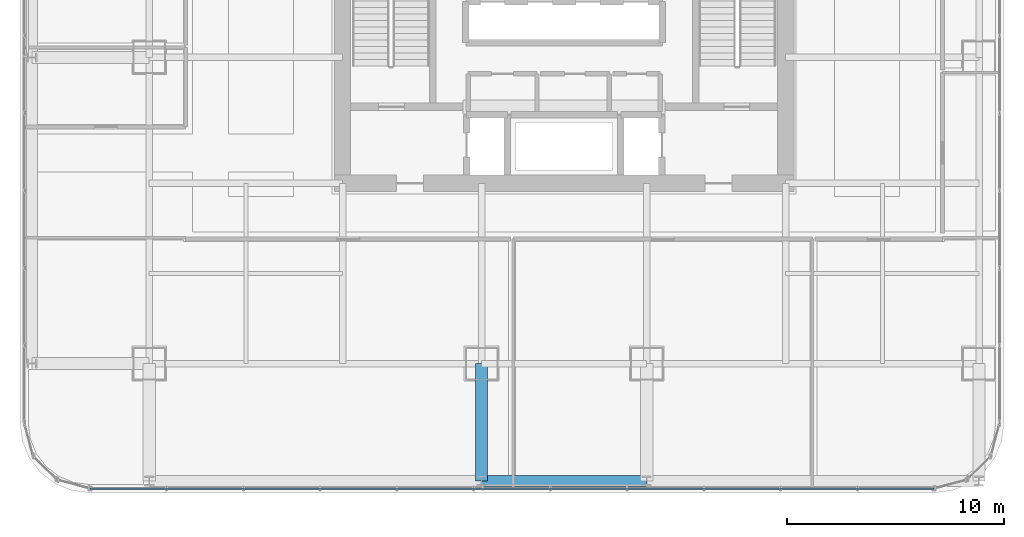
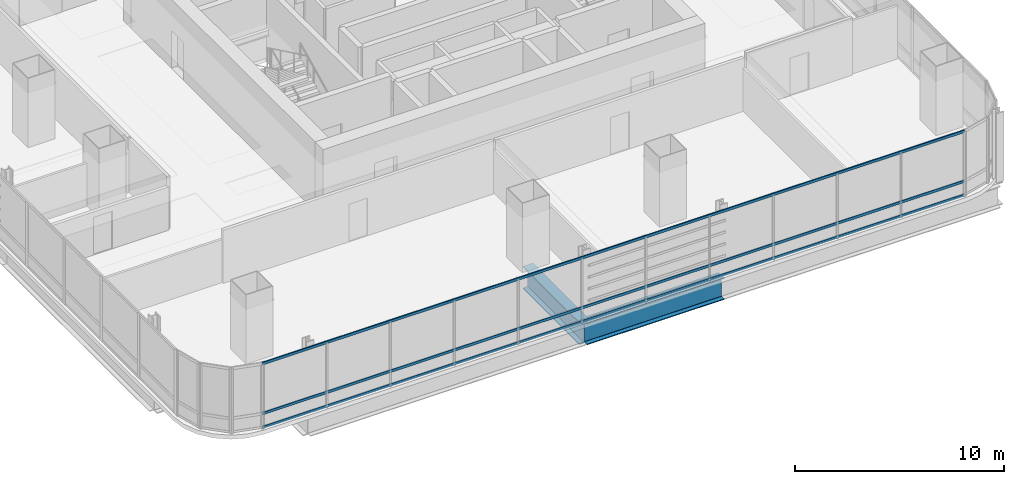
# One storey, part 7 of 36: 3 members, 2 beams, 1 element without a shape of its own.
"""IFC4 building model written with IfcOpenShell, lengths in metres."""

from ifc_helpers import new_model, si_unit, direction, frame, origin, origin_2d, place, context, subcontext, project, spatial, hollow_rectangle, i_section, extrude, material, material_profile, profile_set, type_object, element, aggregate, save


model = new_model("IFC4")

# Units and contexts
model_context = context("Model", 3, precision=1e-05, world=origin(), true_north=direction((0.0, 1.0)))
body_context = subcontext(model_context, "Body", "Model", "MODEL_VIEW")
ifc_project = project(units=[si_unit("LENGTHUNIT", "METRE"), si_unit("AREAUNIT", "SQUARE_METRE"), si_unit("VOLUMEUNIT", "CUBIC_METRE"), si_unit("PLANEANGLEUNIT", "RADIAN"), si_unit("MASSUNIT", "GRAM", prefix="KILO")], contexts=[model_context])

# Site, building, storey
site_placement = place(None, origin())
site = spatial("IfcSite", under=ifc_project, at=site_placement, CompositionType="ELEMENT")
building_placement = place(site_placement, origin())
building = spatial("IfcBuilding", under=site, at=building_placement, Name="Punatoya Terracotta Tower", CompositionType="ELEMENT")
storey_placement = place(building_placement, frame((0.0, 0.0, 36.300048828125)))
storey = spatial("IfcBuildingStorey", under=building, at=storey_placement, Name="L07", CompositionType="ELEMENT", Elevation=36.300048828125)

# Beams
ifc_material_1 = material(Name="Steel S460", Category="steel")
ifc_material_profile_1 = material_profile(ifc_material_1, i_section(OverallWidth=0.56005859375, OverallDepth=1.320068359375, WebThickness=0.035888671875, FlangeThickness=0.054931640625, FilletRadius=0.01806640625, at=origin_2d()))
ifc_profile_set_1 = profile_set([ifc_material_profile_1], Name="Steel S460")
beam_type_1 = type_object("IfcBeamType", Name="BM-TG-BLK", PredefinedType="BEAM", material=ifc_profile_set_1)
beam_1_placement = place(storey_placement, frame((-3.800048828125, -22.89990234375, -0.900146484375), z_axis=(0.0, 1.0, 0.0), x_axis=(-1.0, 0.0, 0.0)))
element("IfcBeam", 1, at=beam_1_placement, inside=storey, type_object=beam_type_1, Name="BM-L07-CANT-S2", PredefinedType="BEAM", context=body_context, shape_type="SweptSolid", body=[
    extrude(i_section(OverallWidth=0.56005859375, OverallDepth=1.320068359375, WebThickness=0.035888671875, FlangeThickness=0.054931640625, FilletRadius=0.01806640625, at=origin_2d()), origin(), (0.0, 0.0, 1.0), 5.39990234375),
])
ifc_material_profile_2 = material_profile(ifc_material_1, i_section(OverallWidth=0.52001953125, OverallDepth=1.280029296875, WebThickness=0.031982421875, FlangeThickness=0.050048828125, FilletRadius=0.01806640625, at=origin_2d()))
ifc_profile_set_2 = profile_set([ifc_material_profile_2], Name="Steel S460")
beam_type_2 = type_object("IfcBeamType", Name="BM-TG-NCK", PredefinedType="BEAM", material=ifc_profile_set_2)
beam_2_placement = place(storey_placement, frame((-3.800048828125, -22.89990234375, -0.880126953125), z_axis=(1.0, 0.0, 0.0), x_axis=(0.0, 1.0, 0.0)))
element("IfcBeam", 2, at=beam_2_placement, inside=storey, type_object=beam_type_2, Name="BM-L07-PER-S2", PredefinedType="BEAM", context=body_context, shape_type="SweptSolid", body=[
    extrude(i_section(OverallWidth=0.52001953125, OverallDepth=1.280029296875, WebThickness=0.031982421875, FlangeThickness=0.050048828125, FilletRadius=0.01806640625, at=origin_2d()), origin(), (0.0, 0.0, 1.0), 7.60009765625),
])

# Curtain wall, members
ifc_material_2 = material(Name="Aluminium 6063-T6 + Double Low-E Glass", Category="aluminium")
curtain_wall_type = type_object("IfcCurtainWallType", Name="CW-M1", PredefinedType="NOTDEFINED", material=ifc_material_2)
curtain_wall_placement = place(storey_placement, origin())
curtain_wall = element("IfcCurtainWall", 3, at=curtain_wall_placement, inside=storey, type_object=curtain_wall_type, Name="L07 Curtain Wall CW-L07-S01-1", PredefinedType="NOTDEFINED")
ifc_material_3 = material(Name="Aluminium 6063-T6", Category="aluminium")
ifc_material_profile_3 = material_profile(ifc_material_3, hollow_rectangle(XDim=0.068115234375, YDim=0.14990234375, WallThickness=0.00390625, at=origin_2d()))
ifc_profile_set_3 = profile_set([ifc_material_profile_3], Name="Aluminium 6063-T6")
member_type = type_object("IfcMemberType", Name="CW-TRN-TYP", PredefinedType="USERDEFINED", material=ifc_profile_set_3)
member_1_placement = place(storey_placement, frame((-21.8369140625, -23.25, 0.0400390625), z_axis=(1.0, 0.0, 0.0), x_axis=(0.0, 1.0, 0.0)))
member_1 = element("IfcMember", 4, at=member_1_placement, type_object=member_type, Name="CW-L07-S01-1 Transom 1", ObjectType="TRANSOM", PredefinedType="USERDEFINED", context=body_context, shape_type="SweptSolid", body=[
    extrude(hollow_rectangle(XDim=0.068115234375, YDim=0.14990234375, WallThickness=0.00390625, at=origin_2d()), origin(), (0.0, 0.0, 1.0), 38.873779296875),
])
member_2_placement = place(storey_placement, frame((-21.8369140625, -23.25, 0.849853515625), z_axis=(1.0, 0.0, 0.0), x_axis=(0.0, 1.0, 0.0)))
member_2 = element("IfcMember", 5, at=member_2_placement, type_object=member_type, Name="CW-L07-S01-1 Transom 2", ObjectType="TRANSOM", PredefinedType="USERDEFINED", context=body_context, shape_type="SweptSolid", body=[
    extrude(hollow_rectangle(XDim=0.068115234375, YDim=0.14990234375, WallThickness=0.00390625, at=origin_2d()), origin(), (0.0, 0.0, 1.0), 38.873779296875),
])
member_3_placement = place(storey_placement, frame((-21.8369140625, -23.25, 3.77001953125), z_axis=(1.0, 0.0, 0.0), x_axis=(0.0, 1.0, 0.0)))
member_3 = element("IfcMember", 6, at=member_3_placement, type_object=member_type, Name="CW-L07-S01-1 Transom 3", ObjectType="TRANSOM", PredefinedType="USERDEFINED", context=body_context, shape_type="SweptSolid", body=[
    extrude(hollow_rectangle(XDim=0.068115234375, YDim=0.14990234375, WallThickness=0.00390625, at=origin_2d()), origin(), (0.0, 0.0, 1.0), 38.873779296875),
])
aggregate(curtain_wall, [member_1, member_2, member_3])

save(model, "model.ifc")
